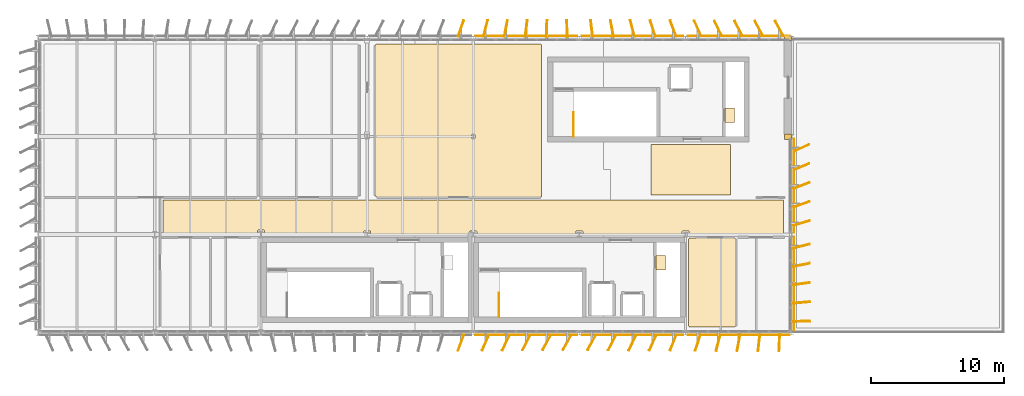
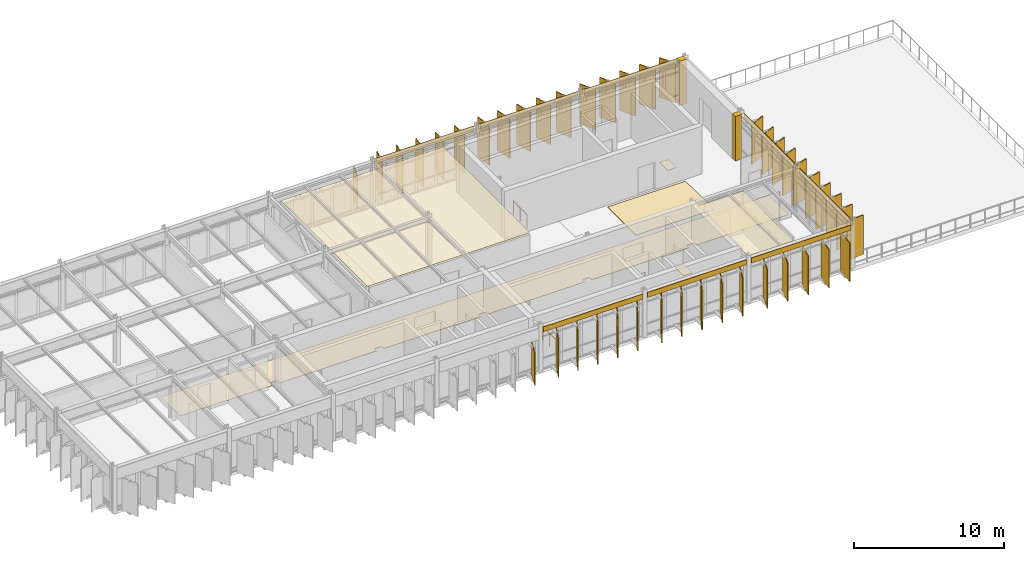
# One storey, part 19 of 20: 58 coverings, 2 railings.
"""IFC4 building model written with IfcOpenShell, lengths in metres."""

from ifc_helpers import new_model, si_unit, direction, frame, frame_2d, origin, origin_2d, place, context, subcontext, project, spatial, polyline, rectangle, circle, outline, extrude, material, layer, layer_set, type_object, element, save


model = new_model("IFC4")

# Units and contexts
model_context = context("Model", 3, precision=1e-05, world=origin(), true_north=direction((0.0, 1.0)))
body_context = subcontext(model_context, "Body", "Model", "MODEL_VIEW")
ifc_project = project(units=[si_unit("LENGTHUNIT", "METRE"), si_unit("AREAUNIT", "SQUARE_METRE"), si_unit("VOLUMEUNIT", "CUBIC_METRE"), si_unit("PLANEANGLEUNIT", "RADIAN"), si_unit("MASSUNIT", "GRAM", prefix="KILO")], contexts=[model_context])

# Site, building, storey
site_placement = place(None, origin())
site = spatial("IfcSite", under=ifc_project, at=site_placement, CompositionType="ELEMENT")
building_placement = place(site_placement, origin())
building = spatial("IfcBuilding", under=site, at=building_placement, Name="Valkorina Park Police Headquarters", CompositionType="ELEMENT")
storey_placement = place(building_placement, frame((0.0, 0.0, 31.10009765625)))
storey = spatial("IfcBuildingStorey", under=building, at=storey_placement, Name="L08", CompositionType="ELEMENT", Elevation=31.10009765625)

# Coverings
ifc_material_1 = material(Name="Acoustic mineral board")
ifc_layer_1 = layer(ifc_material_1, 0.02490234375)
ifc_layer_set_1 = layer_set([ifc_layer_1], Name="Acoustic mineral board")
covering_type_1 = type_object("IfcCoveringType", Name="COV-CEILING-ACOUST", PredefinedType="CEILING", material=ifc_layer_set_1)
covering_1_placement = place(storey_placement, frame((0.0, 0.0, 3.19482421875)))
element("IfcCovering", 1, at=covering_1_placement, inside=storey, type_object=covering_type_1, Name="Crisis Press Conference and Media Room Acoustic Suspended Ceiling", PredefinedType="CEILING", context=body_context, shape_type="SweptSolid", body=[
    extrude(outline(polyline([(37.8955078125, 58.758544921875), (37.8876953125, 58.759521484375), (37.8798828125, 58.760009765625), (25.52001953125, 58.760009765625), (25.51220703125, 58.759521484375), (25.50439453125, 58.758544921875), (25.496826171875, 58.756591796875), (25.489501953125, 58.75390625), (25.482421875, 58.75048828125), (25.4755859375, 58.74658203125), (25.46923828125, 58.74169921875), (25.46337890625, 58.736572265625), (25.458251953125, 58.730712890625), (25.45361328125, 58.724365234375), (25.449462890625, 58.7177734375), (25.446044921875, 58.710693359375), (25.443359375, 58.703125), (25.44140625, 58.695556640625), (25.4404296875, 58.687744140625), (25.43994140625, 58.679931640625), (25.43994140625, 47.320068359375), (25.4404296875, 47.312255859375), (25.44140625, 47.304443359375), (25.443359375, 47.296875), (25.446044921875, 47.289306640625), (25.449462890625, 47.2822265625), (25.45361328125, 47.275634765625), (25.458251953125, 47.269287109375), (25.46337890625, 47.263427734375), (25.46923828125, 47.25830078125), (25.4755859375, 47.25341796875), (25.482421875, 47.24951171875), (25.489501953125, 47.24609375), (25.496826171875, 47.243408203125), (25.50439453125, 47.241455078125), (25.51220703125, 47.240478515625), (25.52001953125, 47.239990234375), (37.8798828125, 47.239990234375), (37.8876953125, 47.240478515625), (37.8955078125, 47.241455078125), (37.9033203125, 47.243408203125), (37.91064453125, 47.24609375), (37.917724609375, 47.24951171875), (37.92431640625, 47.25341796875), (37.930908203125, 47.25830078125), (37.9365234375, 47.263427734375), (37.94189453125, 47.269287109375), (37.946533203125, 47.275634765625), (37.95068359375, 47.2822265625), (37.953857421875, 47.289306640625), (37.95654296875, 47.296875), (37.95849609375, 47.304443359375), (37.959716796875, 47.312255859375), (37.9599609375, 47.320068359375), (37.9599609375, 58.679931640625), (37.959716796875, 58.687744140625), (37.95849609375, 58.695556640625), (37.95654296875, 58.703125), (37.953857421875, 58.710693359375), (37.95068359375, 58.7177734375), (37.946533203125, 58.724365234375), (37.94189453125, 58.730712890625), (37.9365234375, 58.736572265625), (37.930908203125, 58.74169921875), (37.92431640625, 58.74658203125), (37.917724609375, 58.75048828125), (37.91064453125, 58.75390625), (37.9033203125, 58.756591796875), (37.8955078125, 58.758544921875)]), holes=[polyline([(32.64990234375, 51.635009765625), (32.64990234375, 51.965087890625), (32.949951171875, 51.965087890625), (32.949951171875, 51.635009765625), (32.64990234375, 51.635009765625)])]), origin(), (0.0, 0.0, 1.0), 0.025146484375),
])
covering_2_placement = place(storey_placement, frame((0.0, 0.0, 3.35498046875)))
element("IfcCovering", 2, at=covering_2_placement, inside=storey, type_object=covering_type_1, Name="L08 Accessible WC Acoustic Suspended Ceiling", PredefinedType="CEILING", context=body_context, shape_type="SweptSolid", body=[
    extrude(outline(polyline([(52.49560546875, 44.158447265625), (52.48779296875, 44.15966796875), (52.47998046875, 44.159912109375), (49.1201171875, 44.159912109375), (49.1123046875, 44.15966796875), (49.1044921875, 44.158447265625), (49.0966796875, 44.156494140625), (49.08935546875, 44.15380859375), (49.082275390625, 44.150634765625), (49.07568359375, 44.146484375), (49.069091796875, 44.141845703125), (49.0634765625, 44.13671875), (49.05810546875, 44.130859375), (49.053466796875, 44.12451171875), (49.04931640625, 44.11767578125), (49.046142578125, 44.110595703125), (49.04345703125, 44.103271484375), (49.04150390625, 44.095703125), (49.040283203125, 44.087890625), (49.0400390625, 44.080078125), (49.0400390625, 37.52001953125), (49.040283203125, 37.51220703125), (49.04150390625, 37.50439453125), (49.04345703125, 37.496826171875), (49.046142578125, 37.489501953125), (49.04931640625, 37.482421875), (49.053466796875, 37.4755859375), (49.05810546875, 37.46923828125), (49.0634765625, 37.46337890625), (49.069091796875, 37.458251953125), (49.07568359375, 37.45361328125), (49.082275390625, 37.449462890625), (49.08935546875, 37.446044921875), (49.0966796875, 37.443359375), (49.1044921875, 37.44140625), (49.1123046875, 37.4404296875), (49.1201171875, 37.43994140625), (52.47998046875, 37.43994140625), (52.48779296875, 37.4404296875), (52.49560546875, 37.44140625), (52.503173828125, 37.443359375), (52.510498046875, 37.446044921875), (52.517578125, 37.449462890625), (52.5244140625, 37.45361328125), (52.53076171875, 37.458251953125), (52.53662109375, 37.46337890625), (52.541748046875, 37.46923828125), (52.54638671875, 37.4755859375), (52.550537109375, 37.482421875), (52.553955078125, 37.489501953125), (52.556640625, 37.496826171875), (52.55859375, 37.50439453125), (52.5595703125, 37.51220703125), (52.56005859375, 37.52001953125), (52.56005859375, 44.080078125), (52.5595703125, 44.087890625), (52.55859375, 44.095703125), (52.556640625, 44.103271484375), (52.553955078125, 44.110595703125), (52.550537109375, 44.11767578125), (52.54638671875, 44.12451171875), (52.541748046875, 44.130859375), (52.53662109375, 44.13671875), (52.53076171875, 44.141845703125), (52.5244140625, 44.146484375), (52.517578125, 44.150634765625), (52.510498046875, 44.15380859375), (52.503173828125, 44.156494140625), (52.49560546875, 44.158447265625)])), origin(), (0.0, 0.0, 1.0), 0.02490234375),
])
ifc_material_2 = material(Name="Precast concrete C40/50", Category="concrete")
ifc_layer_2 = layer(ifc_material_2, 0.044921875)
ifc_layer_set_2 = layer_set([ifc_layer_2], Name="Precast concrete C40/50")
covering_type_2 = type_object("IfcCoveringType", Name="COV-CLAD-DOLOMITE", PredefinedType="CLADDING", material=ifc_layer_set_2)
for number, where, z_axis, x_axis, name in (
    (3, (56.639892578125, 36.840087890625, 3.2099609375), (0.0, 0.0, 1.0), (-1.0, 0.0, 0.0), "L08 Spandrel Beam Insulated Fascia 2576"),
    (4, (48.639892578125, 36.840087890625, 3.2099609375), (0.0, 0.0, 1.0), (-1.0, 0.0, 0.0), "L08 Spandrel Beam Insulated Fascia 2577"),
    (5, (40.639892578125, 36.840087890625, 3.2099609375), (0.0, 0.0, 1.0), (-1.0, 0.0, 0.0), "L08 Spandrel Beam Insulated Fascia 2578"),
    (6, (32.9599609375, 59.360107421875, 3.2099609375), (0.0, 0.0, 1.0), (1.0, 0.0, 0.0), "L08 Spandrel Beam Insulated Fascia 2590"),
):
    element("IfcCovering", number, at=place(storey_placement, frame(where, z_axis=z_axis, x_axis=x_axis)), inside=storey, type_object=covering_type_2, Name=name, PredefinedType="CLADDING", context=body_context, shape_type="SweptSolid", body=[
        extrude(rectangle(XDim=7.679931640625, YDim=0.044921875, at=frame_2d((3.83984375, 0.0))), origin(), (0.0, 0.0, 1.0), 0.409912109375),
    ])
for number, where, z_axis, x_axis, name in (
    (7, (40.9599609375, 59.360107421875, 3.27978515625), (0.0, 0.0, 1.0), (1.0, 0.0, 0.0), "L08 Spandrel Beam Insulated Fascia 2591"),
    (8, (48.9599609375, 59.360107421875, 3.27978515625), (0.0, 0.0, 1.0), (1.0, 0.0, 0.0), "L08 Spandrel Beam Insulated Fascia 2592"),
):
    element("IfcCovering", number, at=place(storey_placement, frame(where, z_axis=z_axis, x_axis=x_axis)), inside=storey, type_object=covering_type_2, Name=name, PredefinedType="CLADDING", context=body_context, shape_type="SweptSolid", body=[
        extrude(rectangle(XDim=7.679931640625, YDim=0.044921875, at=frame_2d((3.83984375, 0.0))), origin(), (0.0, 0.0, 1.0), 0.340087890625),
    ])
for number, where, z_axis, x_axis, name in (
    (9, (56.510009765625, 59.2099609375, -0.000244140625), (0.0, 0.0, 1.0), (0.0, 1.0, 0.0), "L08 Exterior Joint Closure Pilaster A 2593"),
    (10, (56.510009765625, 51.7900390625, -0.000244140625), (0.0, 0.0, 1.0), (0.0, 1.0, 0.0), "L08 Exterior Joint Closure Pilaster B 2594"),
):
    element("IfcCovering", number, at=place(storey_placement, frame(where, z_axis=z_axis, x_axis=x_axis)), inside=storey, type_object=covering_type_2, Name=name, PredefinedType="CLADDING", context=body_context, shape_type="SweptSolid", body=[
        extrude(rectangle(XDim=0.419921875, YDim=0.52197265625, at=origin_2d()), origin(), (0.0, 0.0, 1.0), 3.6201171875),
    ])
covering_3_placement = place(storey_placement, frame((56.9599609375, 51.639892578125, 3.27978515625), z_axis=(0.0, 0.0, 1.0), x_axis=(0.0, -1.0, 0.0)))
element("IfcCovering", 11, at=covering_3_placement, inside=storey, type_object=covering_type_2, Name="L08 Spandrel Beam Insulated Fascia 2595", PredefinedType="CLADDING", context=body_context, shape_type="SweptSolid", body=[
    extrude(rectangle(XDim=7.079833984375, YDim=0.044921875, at=frame_2d((3.5400390625, 0.0))), origin(), (0.0, 0.0, 1.0), 0.340087890625),
])
covering_4_placement = place(storey_placement, frame((56.9599609375, 44.239990234375, 3.27978515625), z_axis=(0.0, 0.0, 1.0), x_axis=(0.0, -1.0, 0.0)))
element("IfcCovering", 12, at=covering_4_placement, inside=storey, type_object=covering_type_2, Name="L08 Spandrel Beam Insulated Fascia 2596", PredefinedType="CLADDING", context=body_context, shape_type="SweptSolid", body=[
    extrude(rectangle(XDim=7.080078125, YDim=0.044921875, at=frame_2d((3.5400390625, 0.0))), origin(), (0.0, 0.0, 1.0), 0.340087890625),
])
ifc_material_3 = material(Name="Resin terrazzo flooring")
ifc_layer_3 = layer(ifc_material_3, 0.030029296875)
ifc_layer_set_3 = layer_set([ifc_layer_3], Name="Resin terrazzo flooring")
covering_type_3 = type_object("IfcCoveringType", Name="COV-FLOOR-TERRAZZO", PredefinedType="FLOORING", material=ifc_layer_set_3)
covering_5_placement = place(storey_placement, origin())
element("IfcCovering", 13, at=covering_5_placement, inside=storey, type_object=covering_type_3, Name="Core C2 L08 Riser Inspection Threshold Grate", PredefinedType="FLOORING", context=body_context, shape_type="SweptSolid", body=[
    extrude(outline(polyline([(47.280029296875, 41.75), (47.280029296875, 42.85009765625), (46.580078125, 42.85009765625), (46.580078125, 41.75), (47.280029296875, 41.75)])), origin(), (0.0, 0.0, 1.0), 0.02978515625),
])
covering_6_placement = place(storey_placement, origin())
element("IfcCovering", 14, at=covering_6_placement, inside=storey, type_object=covering_type_3, Name="Core C3 L08 Riser Inspection Threshold Grate", PredefinedType="FLOORING", context=body_context, shape_type="SweptSolid", body=[
    extrude(outline(polyline([(52.47998046875, 52.85009765625), (52.47998046875, 53.949951171875), (51.780029296875, 53.949951171875), (51.780029296875, 52.85009765625), (52.47998046875, 52.85009765625)])), origin(), (0.0, 0.0, 1.0), 0.02978515625),
])
covering_7_placement = place(storey_placement, origin())
element("IfcCovering", 15, at=covering_7_placement, inside=storey, type_object=covering_type_3, Name="L08 Regional Directorate Executive Corridor Terrazzo Flooring", PredefinedType="FLOORING", context=body_context, shape_type="SweptSolid", body=[
    extrude(outline(polyline([(9.39990234375, 47.0), (9.39990234375, 44.39990234375), (16.530029296875, 44.39990234375), (16.530029296875, 44.6650390625), (16.530517578125, 44.6728515625), (16.531494140625, 44.6806640625), (16.533447265625, 44.688232421875), (16.5361328125, 44.695556640625), (16.539306640625, 44.70263671875), (16.54345703125, 44.70947265625), (16.548095703125, 44.7158203125), (16.553466796875, 44.7216796875), (16.55908203125, 44.726806640625), (16.565673828125, 44.7314453125), (16.572265625, 44.735595703125), (16.579345703125, 44.739013671875), (16.5869140625, 44.74169921875), (16.594482421875, 44.743408203125), (16.602294921875, 44.74462890625), (16.610107421875, 44.7451171875), (16.989990234375, 44.7451171875), (16.997802734375, 44.74462890625), (17.005615234375, 44.743408203125), (17.01318359375, 44.74169921875), (17.0205078125, 44.739013671875), (17.027587890625, 44.735595703125), (17.034423828125, 44.7314453125), (17.040771484375, 44.726806640625), (17.046630859375, 44.7216796875), (17.0517578125, 44.7158203125), (17.056396484375, 44.70947265625), (17.060546875, 44.70263671875), (17.06396484375, 44.695556640625), (17.066650390625, 44.688232421875), (17.068603515625, 44.6806640625), (17.069580078125, 44.6728515625), (17.070068359375, 44.6650390625), (17.070068359375, 44.39990234375), (24.530029296875, 44.39990234375), (24.530029296875, 44.60498046875), (24.530517578125, 44.61279296875), (24.531494140625, 44.62060546875), (24.533447265625, 44.628173828125), (24.5361328125, 44.635498046875), (24.539306640625, 44.642578125), (24.54345703125, 44.6494140625), (24.548095703125, 44.65576171875), (24.553466796875, 44.66162109375), (24.55908203125, 44.666748046875), (24.565673828125, 44.67138671875), (24.572265625, 44.675537109375), (24.579345703125, 44.678955078125), (24.5869140625, 44.681640625), (24.594482421875, 44.68359375), (24.602294921875, 44.6845703125), (24.610107421875, 44.68505859375), (24.989990234375, 44.68505859375), (24.997802734375, 44.6845703125), (25.005615234375, 44.68359375), (25.01318359375, 44.681640625), (25.0205078125, 44.678955078125), (25.027587890625, 44.675537109375), (25.034423828125, 44.67138671875), (25.040771484375, 44.666748046875), (25.046630859375, 44.66162109375), (25.0517578125, 44.65576171875), (25.056396484375, 44.6494140625), (25.060546875, 44.642578125), (25.06396484375, 44.635498046875), (25.066650390625, 44.628173828125), (25.068603515625, 44.62060546875), (25.069580078125, 44.61279296875), (25.070068359375, 44.60498046875), (25.070068359375, 44.39990234375), (32.530029296875, 44.39990234375), (32.530029296875, 44.60498046875), (32.530517578125, 44.61279296875), (32.531494140625, 44.62060546875), (32.533447265625, 44.628173828125), (32.5361328125, 44.635498046875), (32.539306640625, 44.642578125), (32.54345703125, 44.6494140625), (32.548095703125, 44.65576171875), (32.553466796875, 44.66162109375), (32.55908203125, 44.666748046875), (32.565673828125, 44.67138671875), (32.572265625, 44.675537109375), (32.579345703125, 44.678955078125), (32.5869140625, 44.681640625), (32.594482421875, 44.68359375), (32.602294921875, 44.6845703125), (32.610107421875, 44.68505859375), (32.989990234375, 44.68505859375), (32.997802734375, 44.6845703125), (33.005615234375, 44.68359375), (33.01318359375, 44.681640625), (33.0205078125, 44.678955078125), (33.027587890625, 44.675537109375), (33.034423828125, 44.67138671875), (33.040771484375, 44.666748046875), (33.046630859375, 44.66162109375), (33.0517578125, 44.65576171875), (33.056396484375, 44.6494140625), (33.060546875, 44.642578125), (33.06396484375, 44.635498046875), (33.066650390625, 44.628173828125), (33.068603515625, 44.62060546875), (33.069580078125, 44.61279296875), (33.070068359375, 44.60498046875), (33.070068359375, 44.39990234375), (40.530029296875, 44.39990234375), (40.530029296875, 44.60498046875), (40.530517578125, 44.61279296875), (40.531494140625, 44.62060546875), (40.533447265625, 44.628173828125), (40.5361328125, 44.635498046875), (40.539306640625, 44.642578125), (40.54345703125, 44.6494140625), (40.548095703125, 44.65576171875), (40.553466796875, 44.66162109375), (40.55908203125, 44.666748046875), (40.565673828125, 44.67138671875), (40.572265625, 44.675537109375), (40.579345703125, 44.678955078125), (40.5869140625, 44.681640625), (40.594482421875, 44.68359375), (40.602294921875, 44.6845703125), (40.610107421875, 44.68505859375), (40.989990234375, 44.68505859375), (40.997802734375, 44.6845703125), (41.005615234375, 44.68359375), (41.01318359375, 44.681640625), (41.0205078125, 44.678955078125), (41.027587890625, 44.675537109375), (41.034423828125, 44.67138671875), (41.040771484375, 44.666748046875), (41.046630859375, 44.66162109375), (41.0517578125, 44.65576171875), (41.056396484375, 44.6494140625), (41.060546875, 44.642578125), (41.06396484375, 44.635498046875), (41.066650390625, 44.628173828125), (41.068603515625, 44.62060546875), (41.069580078125, 44.61279296875), (41.070068359375, 44.60498046875), (41.070068359375, 44.39990234375), (48.530029296875, 44.39990234375), (48.530029296875, 44.60498046875), (48.530517578125, 44.61279296875), (48.531494140625, 44.62060546875), (48.533447265625, 44.628173828125), (48.5361328125, 44.635498046875), (48.539306640625, 44.642578125), (48.54345703125, 44.6494140625), (48.548095703125, 44.65576171875), (48.553466796875, 44.66162109375), (48.55908203125, 44.666748046875), (48.565673828125, 44.67138671875), (48.572265625, 44.675537109375), (48.579345703125, 44.678955078125), (48.5869140625, 44.681640625), (48.594482421875, 44.68359375), (48.602294921875, 44.6845703125), (48.610107421875, 44.68505859375), (48.989990234375, 44.68505859375), (48.997802734375, 44.6845703125), (49.005615234375, 44.68359375), (49.01318359375, 44.681640625), (49.0205078125, 44.678955078125), (49.027587890625, 44.675537109375), (49.034423828125, 44.67138671875), (49.040771484375, 44.666748046875), (49.046630859375, 44.66162109375), (49.0517578125, 44.65576171875), (49.056396484375, 44.6494140625), (49.060546875, 44.642578125), (49.06396484375, 44.635498046875), (49.066650390625, 44.628173828125), (49.068603515625, 44.62060546875), (49.069580078125, 44.61279296875), (49.070068359375, 44.60498046875), (49.070068359375, 44.39990234375), (56.199951171875, 44.39990234375), (56.199951171875, 47.0), (9.39990234375, 47.0)])), origin(), (0.0, 0.0, 1.0), 0.02978515625),
])
covering_8_placement = place(storey_placement, origin())
element("IfcCovering", 16, at=covering_8_placement, inside=storey, type_object=covering_type_3, Name="L08 Core C3 Access Corridor Terrazzo Flooring", PredefinedType="FLOORING", context=body_context, shape_type="SweptSolid", body=[
    extrude(outline(polyline([(46.199951171875, 51.199951171875), (46.199951171875, 47.39990234375), (52.199951171875, 47.39990234375), (52.199951171875, 51.199951171875), (46.199951171875, 51.199951171875)])), origin(), (0.0, 0.0, 1.0), 0.02978515625),
])

# Railings
ifc_material_4 = material(Name="Stainless steel EN 1.4404", Category="steel")
railing_type = type_object("IfcRailingType", Name="RL-GUARD-INT-1100", PredefinedType="BALUSTRADE", material=ifc_material_4)
for number, where, name in (
    (17, (34.75, 38.199951171875, 0.0), "L08 Core C2 Top Well Guard 1"),
    (18, (40.35009765625, 51.800048828125, 0.0), "L08 Core C3 Top Well Guard 1"),
):
    element("IfcRailing", number, at=place(storey_placement, frame(where)), inside=storey, type_object=railing_type, Name=name, PredefinedType="BALUSTRADE", context=body_context, shape_type="SweptSolid", body=[
        extrude(circle(Radius=0.02392578125, at=origin_2d()), frame((0.0, 0.0, 1.09619140625), z_axis=(0.0, 1.0, 0.0), x_axis=(-1.0, 0.0, 0.0)), (0.0, 0.0, 1.0), 1.800048828125),
        extrude(circle(Radius=0.02099609375, at=origin_2d()), origin(), (0.0, 0.0, 1.0), 1.072021484375),
        extrude(circle(Radius=0.02099609375, at=origin_2d()), frame((0.0, 0.89990234375, 0.0)), (0.0, 0.0, 1.0), 1.072021484375),
        extrude(circle(Radius=0.02099609375, at=origin_2d()), frame((0.0, 1.800048828125, 0.0)), (0.0, 0.0, 1.0), 1.072021484375),
    ])

# Coverings
ifc_material_5 = material(Name="Polychrome anodized aluminium - Baltic Amber", Category="aluminium")
ifc_layer_4 = layer(ifc_material_5, 0.06494140625)
ifc_layer_set_4 = layer_set([ifc_layer_4], Name="Polychrome anodized aluminium - Baltic Amber")
covering_type_4 = type_object("IfcCoveringType", Name="SHD-LOUVRE-AMBER", PredefinedType="CLADDING", material=ifc_layer_set_4)
for number, where, z_axis, x_axis, name in (
    (19, (55.8720703125, 36.260009765625, 0.0400390625), (0.0, 0.0, 1.0), (-0.042224410831, -0.999108151868, 0.0), "V5 Polychrome Pivoting Louvre 0579"),
    (20, (49.72802734375, 36.260009765625, 0.0400390625), (0.0, 0.0, 1.0), (-0.308186923436, -0.951325822325, 0.0), "V5 Polychrome Pivoting Louvre 0583"),
    (21, (43.263916015625, 36.260009765625, 0.0400390625), (0.0, 0.0, 1.0), (-0.466232244732, -0.884662361566, 0.0), "V5 Polychrome Pivoting Louvre 0587"),
    (22, (36.800048828125, 36.260009765625, 0.0400390625), (0.0, 0.0, 1.0), (-0.461593793608, -0.887091410004, 0.0), "V5 Polychrome Pivoting Louvre 0591"),
    (23, (36.800048828125, 59.93994140625, 0.0400390625), (0.0, 0.0, 1.0), (0.115283895993, 0.993332584447, 0.0), "V5 Polychrome Pivoting Louvre 0653"),
):
    element("IfcCovering", number, at=place(storey_placement, frame(where, z_axis=z_axis, x_axis=x_axis)), inside=storey, type_object=covering_type_4, Name=name, PredefinedType="CLADDING", context=body_context, shape_type="SweptSolid", body=[
        extrude(rectangle(XDim=1.280029296875, YDim=0.06494140625, at=origin_2d()), origin(), (0.0, 0.0, 1.0), 3.14990234375),
    ])
for number, where, z_axis, x_axis, name in (
    (24, (43.263916015625, 59.93994140625, 0.0400390625), (0.0, 0.0, 1.0), (-0.188409860458, 0.982090486912, 0.0), "V5 Polychrome Pivoting Louvre 0657"),
    (25, (49.72802734375, 59.93994140625, 0.0400390625), (0.0, 0.0, 1.0), (-0.412627540369, 0.910899836935, 0.0), "V5 Polychrome Pivoting Louvre 0661"),
    (26, (55.8720703125, 59.93994140625, 0.0400390625), (0.0, 0.0, 1.0), (-0.484809620246, 0.874619707139, 0.0), "V5 Polychrome Pivoting Louvre 0665"),
    (27, (57.5400390625, 46.68408203125, 0.0400390625), (0.0, 0.0, 1.0), (0.943454320287, 0.331502557353, 0.0), "V5 Polychrome Pivoting Louvre 0669"),
    (28, (57.5400390625, 40.699951171875, 0.0400390625), (0.0, 0.0, 1.0), (0.990097297715, 0.140382837472, 0.0), "V5 Polychrome Pivoting Louvre 0673"),
):
    element("IfcCovering", number, at=place(storey_placement, frame(where, z_axis=z_axis, x_axis=x_axis)), inside=storey, type_object=covering_type_4, Name=name, PredefinedType="CLADDING", context=body_context, shape_type="SweptSolid", body=[
        extrude(rectangle(XDim=1.280029296875, YDim=0.06494140625, at=origin_2d()), origin(), (0.0, 0.0, 1.0), 3.219970703125),
    ])
ifc_material_6 = material(Name="Polychrome anodized aluminium - Riga Ochre", Category="aluminium")
ifc_layer_5 = layer(ifc_material_6, 0.06494140625)
ifc_layer_set_5 = layer_set([ifc_layer_5], Name="Polychrome anodized aluminium - Riga Ochre")
covering_type_5 = type_object("IfcCoveringType", Name="SHD-LOUVRE-OCHRE", PredefinedType="CLADDING", material=ifc_layer_set_5)
for number, where, z_axis, x_axis, name in (
    (29, (52.800048828125, 36.260009765625, 0.0400390625), (0.0, 0.0, 1.0), (-0.184465989119, -0.982838897713, 0.0), "V5 Polychrome Pivoting Louvre 0581"),
    (30, (46.3359375, 36.260009765625, 0.0400390625), (0.0, 0.0, 1.0), (-0.410559713862, -0.911833713653, 0.0), "V5 Polychrome Pivoting Louvre 0585"),
    (31, (39.8720703125, 36.260009765625, 0.0400390625), (0.0, 0.0, 1.0), (-0.484504290844, -0.874788884333, 0.0), "V5 Polychrome Pivoting Louvre 0589"),
    (32, (33.72802734375, 36.260009765625, 0.0400390625), (0.0, 0.0, 1.0), (-0.401308425672, -0.91594298266, 0.0), "V5 Polychrome Pivoting Louvre 0593"),
    (33, (33.72802734375, 59.93994140625, 0.0400390625), (0.0, 0.0, 1.0), (0.249873048837, 0.968278606324, 0.0), "V5 Polychrome Pivoting Louvre 0651"),
    (34, (39.8720703125, 59.93994140625, 0.0400390625), (0.0, 0.0, 1.0), (-0.031061863564, 0.999517463895, 0.0), "V5 Polychrome Pivoting Louvre 0655"),
):
    element("IfcCovering", number, at=place(storey_placement, frame(where, z_axis=z_axis, x_axis=x_axis)), inside=storey, type_object=covering_type_5, Name=name, PredefinedType="CLADDING", context=body_context, shape_type="SweptSolid", body=[
        extrude(rectangle(XDim=1.280029296875, YDim=0.06494140625, at=origin_2d()), origin(), (0.0, 0.0, 1.0), 3.14990234375),
    ])
for number, where, z_axis, x_axis, name in (
    (35, (46.3359375, 59.93994140625, 0.0400390625), (0.0, 0.0, 1.0), (-0.311174075894, 0.950352931542, 0.0), "V5 Polychrome Pivoting Louvre 0659"),
    (36, (52.800048828125, 59.93994140625, 0.0400390625), (0.0, 0.0, 1.0), (-0.467312715477, 0.884092091331, 0.0), "V5 Polychrome Pivoting Louvre 0663"),
    (37, (57.5400390625, 49.51611328125, 0.0400390625), (0.0, 0.0, 1.0), (0.917199208195, 0.398428930284, 0.0), "V5 Polychrome Pivoting Louvre 0667"),
    (38, (57.5400390625, 43.531982421875, 0.0400390625), (0.0, 0.0, 1.0), (0.971300571005, 0.237855419878, 0.0), "V5 Polychrome Pivoting Louvre 0671"),
    (39, (57.5400390625, 37.867919921875, 0.0400390625), (0.0, 0.0, 1.0), (0.99937858391, 0.035248347778, 0.0), "V5 Polychrome Pivoting Louvre 0675"),
):
    element("IfcCovering", number, at=place(storey_placement, frame(where, z_axis=z_axis, x_axis=x_axis)), inside=storey, type_object=covering_type_5, Name=name, PredefinedType="CLADDING", context=body_context, shape_type="SweptSolid", body=[
        extrude(rectangle(XDim=1.280029296875, YDim=0.06494140625, at=origin_2d()), origin(), (0.0, 0.0, 1.0), 3.219970703125),
    ])
ifc_material_7 = material(Name="Polychrome anodized aluminium - Courland Slate Blue", Category="masonry")
ifc_layer_6 = layer(ifc_material_7, 0.06494140625)
ifc_layer_set_6 = layer_set([ifc_layer_6], Name="Polychrome anodized aluminium - Courland Slate Blue")
covering_type_6 = type_object("IfcCoveringType", Name="SHD-LOUVRE-SLATE", PredefinedType="CLADDING", material=ifc_layer_set_6)
for number, where, z_axis, x_axis, name in (
    (40, (51.263916015625, 36.260009765625, 0.0400390625), (0.0, 0.0, 1.0), (-0.249366025115, -0.968409306811, 0.0), "V5 Polychrome Pivoting Louvre 0582"),
    (41, (44.800048828125, 36.260009765625, 0.0400390625), (0.0, 0.0, 1.0), (-0.442914717678, -0.89656374724, 0.0), "V5 Polychrome Pivoting Louvre 0586"),
    (42, (38.3359375, 36.260009765625, 0.0400390625), (0.0, 0.0, 1.0), (-0.477772174015, -0.87848377887, 0.0), "V5 Polychrome Pivoting Louvre 0590"),
):
    element("IfcCovering", number, at=place(storey_placement, frame(where, z_axis=z_axis, x_axis=x_axis)), inside=storey, type_object=covering_type_6, Name=name, PredefinedType="CLADDING", context=body_context, shape_type="SweptSolid", body=[
        extrude(rectangle(XDim=1.280029296875, YDim=0.06494140625, at=origin_2d()), origin(), (0.0, 0.0, 1.0), 3.14990234375),
    ])
covering_9_placement = place(storey_placement, frame((31.8720703125, 36.260009765625, 0.0400390625), z_axis=(0.0, 0.0, 1.0), x_axis=(-0.347917616161, -0.937525110258, 0.0)))
element("IfcCovering", 43, at=covering_9_placement, inside=storey, type_object=covering_type_6, Name="V5 Polychrome Pivoting Louvre 0594", PredefinedType="CLADDING", context=body_context, shape_type="SweptSolid", body=[
    extrude(rectangle(XDim=1.280029296875, YDim=0.06494140625, at=origin_2d()), origin(), (0.0, 0.0, 1.0), 2.64990234375),
])
covering_10_placement = place(storey_placement, frame((35.263916015625, 59.93994140625, 0.0400390625), z_axis=(0.0, 0.0, 1.0), x_axis=(0.184980577053, 0.982742176826, 0.0)))
element("IfcCovering", 44, at=covering_10_placement, inside=storey, type_object=covering_type_6, Name="V5 Polychrome Pivoting Louvre 0652", PredefinedType="CLADDING", context=body_context, shape_type="SweptSolid", body=[
    extrude(rectangle(XDim=1.280029296875, YDim=0.06494140625, at=origin_2d()), origin(), (0.0, 0.0, 1.0), 3.14990234375),
])
for number, where, z_axis, x_axis, name in (
    (45, (41.72802734375, 59.93994140625, 0.0400390625), (0.0, 0.0, 1.0), (-0.118923867576, 0.992903375823, 0.0), "V5 Polychrome Pivoting Louvre 0656"),
    (46, (47.8720703125, 59.93994140625, 0.0400390625), (0.0, 0.0, 1.0), (-0.36211268409, 0.932134327241, 0.0), "V5 Polychrome Pivoting Louvre 0660"),
    (47, (54.3359375, 59.93994140625, 0.0400390625), (0.0, 0.0, 1.0), (-0.480835743909, 0.876810690731, 0.0), "V5 Polychrome Pivoting Louvre 0664"),
    (48, (57.5400390625, 48.10009765625, 0.0400390625), (0.0, 0.0, 1.0), (0.930161475141, 0.367150691357, 0.0), "V5 Polychrome Pivoting Louvre 0668"),
    (49, (57.5400390625, 42.115966796875, 0.0400390625), (0.0, 0.0, 1.0), (0.981693728546, 0.190466331231, 0.0), "V5 Polychrome Pivoting Louvre 0672"),
):
    element("IfcCovering", number, at=place(storey_placement, frame(where, z_axis=z_axis, x_axis=x_axis)), inside=storey, type_object=covering_type_6, Name=name, PredefinedType="CLADDING", context=body_context, shape_type="SweptSolid", body=[
        extrude(rectangle(XDim=1.280029296875, YDim=0.06494140625, at=origin_2d()), origin(), (0.0, 0.0, 1.0), 3.219970703125),
    ])
ifc_material_8 = material(Name="Polychrome anodized aluminium - Pine Verdigris", Category="aluminium")
ifc_layer_7 = layer(ifc_material_8, 0.06494140625)
ifc_layer_set_7 = layer_set([ifc_layer_7], Name="Polychrome anodized aluminium - Pine Verdigris")
covering_type_7 = type_object("IfcCoveringType", Name="SHD-LOUVRE-VERDIGRIS", PredefinedType="CLADDING", material=ifc_layer_set_7)
for number, where, z_axis, x_axis, name in (
    (50, (54.3359375, 36.260009765625, 0.0400390625), (0.0, 0.0, 1.0), (-0.114937150493, -0.9933727656, 0.0), "V5 Polychrome Pivoting Louvre 0580"),
    (51, (47.8720703125, 36.260009765625, 0.0400390625), (0.0, 0.0, 1.0), (-0.369098010319, -0.929390477022, 0.0), "V5 Polychrome Pivoting Louvre 0584"),
    (52, (41.72802734375, 36.260009765625, 0.0400390625), (0.0, 0.0, 1.0), (-0.480223497443, -0.877146163706, 0.0), "V5 Polychrome Pivoting Louvre 0588"),
    (53, (35.263916015625, 36.260009765625, 0.0400390625), (0.0, 0.0, 1.0), (-0.436016609893, -0.89993861785, 0.0), "V5 Polychrome Pivoting Louvre 0592"),
):
    element("IfcCovering", number, at=place(storey_placement, frame(where, z_axis=z_axis, x_axis=x_axis)), inside=storey, type_object=covering_type_7, Name=name, PredefinedType="CLADDING", context=body_context, shape_type="SweptSolid", body=[
        extrude(rectangle(XDim=1.280029296875, YDim=0.06494140625, at=origin_2d()), origin(), (0.0, 0.0, 1.0), 3.14990234375),
    ])
covering_11_placement = place(storey_placement, frame((31.8720703125, 59.93994140625, 0.0400390625), z_axis=(0.0, 0.0, 1.0), x_axis=(0.319786271707, 0.947489704655, 0.0)))
element("IfcCovering", 54, at=covering_11_placement, inside=storey, type_object=covering_type_7, Name="V5 Polychrome Pivoting Louvre 0650", PredefinedType="CLADDING", context=body_context, shape_type="SweptSolid", body=[
    extrude(rectangle(XDim=1.280029296875, YDim=0.06494140625, at=origin_2d()), origin(), (0.0, 0.0, 1.0), 2.64990234375),
])
covering_12_placement = place(storey_placement, frame((38.3359375, 59.93994140625, 0.0400390625), z_axis=(0.0, 0.0, 1.0), x_axis=(0.042747536824, 0.999085906264, 0.0)))
element("IfcCovering", 55, at=covering_12_placement, inside=storey, type_object=covering_type_7, Name="V5 Polychrome Pivoting Louvre 0654", PredefinedType="CLADDING", context=body_context, shape_type="SweptSolid", body=[
    extrude(rectangle(XDim=1.280029296875, YDim=0.06494140625, at=origin_2d()), origin(), (0.0, 0.0, 1.0), 3.14990234375),
])
for number, where, z_axis, x_axis, name in (
    (56, (44.800048828125, 59.93994140625, 0.0400390625), (0.0, 0.0, 1.0), (-0.252913747716, 0.967488830021, 0.0), "V5 Polychrome Pivoting Louvre 0658"),
    (57, (51.263916015625, 59.93994140625, 0.0400390625), (0.0, 0.0, 1.0), (-0.444635179185, 0.895711760239, 0.0), "V5 Polychrome Pivoting Louvre 0662"),
    (58, (57.5400390625, 50.931884765625, 0.0400390625), (0.0, 0.0, 1.0), (0.905198270413, 0.424989518979, 0.0), "V5 Polychrome Pivoting Louvre 0666"),
    (59, (57.5400390625, 45.26806640625, 0.0400390625), (0.0, 0.0, 1.0), (0.956508636856, 0.291704006862, 0.0), "V5 Polychrome Pivoting Louvre 0670"),
    (60, (57.5400390625, 39.283935546875, 0.0400390625), (0.0, 0.0, 1.0), (0.996072034691, 0.088546607536, 0.0), "V5 Polychrome Pivoting Louvre 0674"),
):
    element("IfcCovering", number, at=place(storey_placement, frame(where, z_axis=z_axis, x_axis=x_axis)), inside=storey, type_object=covering_type_7, Name=name, PredefinedType="CLADDING", context=body_context, shape_type="SweptSolid", body=[
        extrude(rectangle(XDim=1.280029296875, YDim=0.06494140625, at=origin_2d()), origin(), (0.0, 0.0, 1.0), 3.219970703125),
    ])

save(model, "model.ifc")
